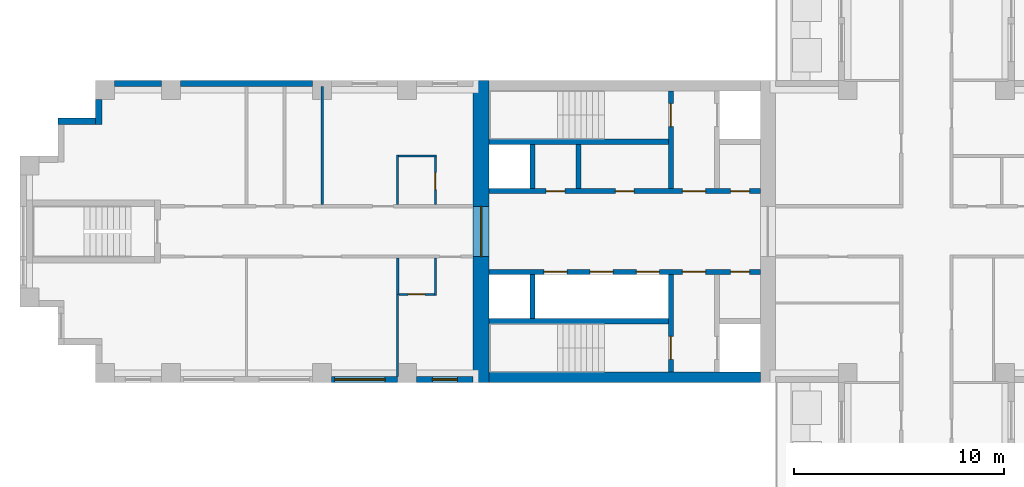
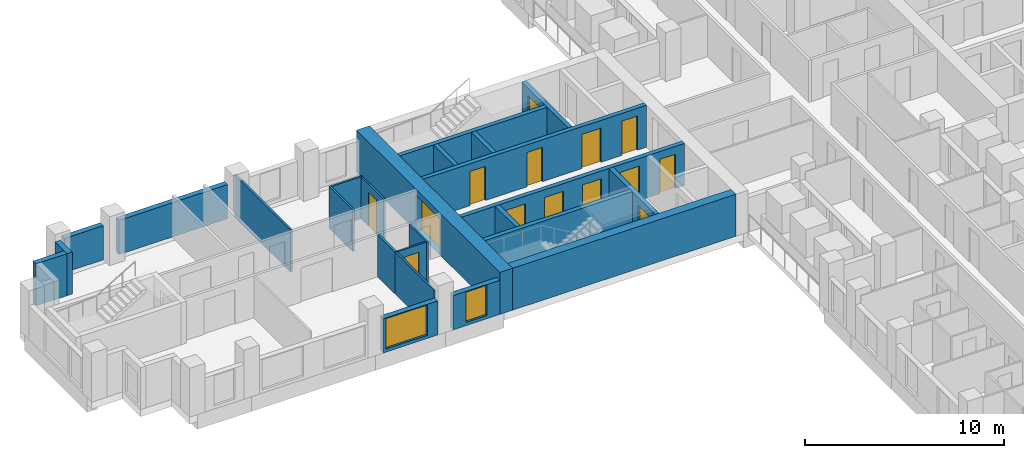
# One storey, part 6 of 13: 25 walls, 14 doors, 2 windows, 16 openings.
"""IFC4 building model written with IfcOpenShell, lengths in metres."""

from ifc_helpers import new_model, si_unit, direction, frame, frame_2d, origin, place, context, subcontext, project, spatial, rectangle, extrude, material, layer, layer_set, type_object, element, fill, save


model = new_model("IFC4")

# Units and contexts
model_context = context("Model", 3, precision=1e-05, world=origin(), true_north=direction((0.0, 1.0)))
body_context = subcontext(model_context, "Body", "Model", "MODEL_VIEW")
ifc_project = project(units=[si_unit("LENGTHUNIT", "METRE"), si_unit("AREAUNIT", "SQUARE_METRE"), si_unit("VOLUMEUNIT", "CUBIC_METRE"), si_unit("PLANEANGLEUNIT", "RADIAN"), si_unit("MASSUNIT", "GRAM", prefix="KILO")], contexts=[model_context])

# Site, building, storey
site_placement = place(None, origin())
site = spatial("IfcSite", under=ifc_project, at=site_placement, CompositionType="ELEMENT")
building_placement = place(site_placement, origin())
building = spatial("IfcBuilding", under=site, at=building_placement, Name="Fustian Cross Tower", CompositionType="ELEMENT")
storey_placement = place(building_placement, frame((0.0, 0.0, 84.89990234375)))
storey = spatial("IfcBuildingStorey", under=building, at=storey_placement, Name="L26", CompositionType="ELEMENT", Elevation=84.89990234375)

# Wall, opening, door
ifc_material_1 = material(Name="Concrete C70/85", Category="concrete")
ifc_layer_1 = layer(ifc_material_1, 0.75)
ifc_layer_set_1 = layer_set([ifc_layer_1], Name="Concrete C70/85")
wall_type_1 = type_object("IfcWallType", Name="CORE END WALL 750 C70/85", PredefinedType="SHEAR", material=ifc_layer_set_1)
wall_1_placement = place(storey_placement, frame((-21.22509765625, -7.199951171875, 0.0), z_axis=(0.0, 0.0, 1.0), x_axis=(0.0, 1.0, 0.0)))
wall_1 = element("IfcWall", 1, at=wall_1_placement, inside=storey, type_object=wall_type_1, Name="Core end wall", PredefinedType="SHEAR", context=body_context, shape_type="SweptSolid", body=[
    extrude(rectangle(XDim=14.39990234375, YDim=0.75, at=frame_2d((7.199951171875, 0.0))), origin(), (0.0, 0.0, 1.0), 2.5751953125),
])
opening_1_placement = place(wall_1_placement, frame((6.0, 0.0, 0.0)))
opening_1 = element("IfcOpeningElement", 2, at=opening_1_placement, cuts=wall_1, Name="Opening CD-11-28", PredefinedType="OPENING", context=body_context, shape_type="SweptSolid", body=[
    extrude(rectangle(XDim=2.39990234375, YDim=2.199951171875, at=frame_2d((1.199951171875, 1.10009765625))), frame((0.0, 0.385009765625, 0.0), z_axis=(0.0, -1.0, 0.0), x_axis=(1.0, 0.0, 0.0)), (0.0, 0.0, 1.0), 0.77001953125),
])
ifc_material_2 = material(Name="Steel", Category="steel")
door_type_1 = type_object("IfcDoorType", Name="FIRE DOOR FD30S DOUBLE 2400X2200", OperationType="DOUBLE_DOOR_DOUBLE_SWING", PredefinedType="DOOR", material=ifc_material_2)
door_1_placement = place(opening_1_placement, frame((2.39990234375, 0.0, 0.0), z_axis=(0.0, 0.0, 1.0), x_axis=(-1.0, 0.0, 0.0)))
door_1 = element("IfcDoor", 3, at=door_1_placement, inside=storey, type_object=door_type_1, Name="Core door CD-11-28", OperationType="DOUBLE_DOOR_DOUBLE_SWING", OverallHeight=2.199951171875, OverallWidth=2.39990234375, PredefinedType="DOOR", context=body_context, shape_type="SweptSolid", body=[
    extrude(rectangle(XDim=2.39990234375, YDim=2.199951171875, at=frame_2d((1.199951171875, 1.10009765625))), frame((0.0, 0.02490234375, 0.0), z_axis=(0.0, -1.0, 0.0), x_axis=(1.0, 0.0, 0.0)), (0.0, 0.0, 1.0), 0.050048828125),
])
fill(opening_1, door_1)

# Wall
ifc_material_3 = material(Name="Concrete C70/85", Category="concrete")
ifc_layer_2 = layer(ifc_material_3, 0.5)
ifc_layer_set_2 = layer_set([ifc_layer_2], Name="Concrete C70/85")
wall_type_2 = type_object("IfcWallType", Name="CORE FACADE WALL 500 C70/85", PredefinedType="SHEAR", material=ifc_layer_set_2)
wall_2_placement = place(storey_placement, frame((-7.89990234375, -6.949951171875, 0.0), z_axis=(0.0, 0.0, 1.0), x_axis=(-1.0, 0.0, 0.0)))
element("IfcWall", 4, at=wall_2_placement, inside=storey, type_object=wall_type_2, Name="Core facade wall", PredefinedType="SHEAR", context=body_context, shape_type="SweptSolid", body=[
    extrude(rectangle(XDim=12.9501953125, YDim=0.5, at=frame_2d((6.47509765625, 0.0))), origin(), (0.0, 0.0, 1.0), 2.5751953125),
])

# Wall, openings, doors
ifc_material_4 = material(Name="Concrete C50/60", Category="concrete")
ifc_layer_3 = layer(ifc_material_4, 0.25)
ifc_layer_set_3 = layer_set([ifc_layer_3], Name="Concrete C50/60")
wall_type_3 = type_object("IfcWallType", Name="CORE LOBBY WALL 250 C50/60", PredefinedType="SHEAR", material=ifc_layer_set_3)
wall_3_placement = place(storey_placement, frame((-7.89990234375, 1.925048828125, 0.0), z_axis=(0.0, 0.0, 1.0), x_axis=(-1.0, 0.0, 0.0)))
wall_3 = element("IfcWall", 5, at=wall_3_placement, inside=storey, type_object=wall_type_3, Name="Core lobby wall", PredefinedType="SHEAR", context=body_context, shape_type="SweptSolid", body=[
    extrude(rectangle(XDim=12.9501953125, YDim=0.25, at=frame_2d((6.47509765625, 0.0))), origin(), (0.0, 0.0, 1.0), 2.5751953125),
])
opening_2_placement = place(wall_3_placement, frame((0.52490234375, 0.0, 0.0)))
opening_2 = element("IfcOpeningElement", 6, at=opening_2_placement, cuts=wall_3, Name="Opening CD-11-23", PredefinedType="OPENING", context=body_context, shape_type="SweptSolid", body=[
    extrude(rectangle(XDim=0.89990234375, YDim=2.10009765625, at=frame_2d((0.449951171875, 1.050048828125))), frame((0.0, 0.135009765625, 0.0), z_axis=(0.0, -1.0, 0.0), x_axis=(1.0, 0.0, 0.0)), (0.0, 0.0, 1.0), 0.27001953125),
])
opening_3_placement = place(wall_3_placement, frame((2.625, 0.0, 0.0)))
opening_3 = element("IfcOpeningElement", 7, at=opening_3_placement, cuts=wall_3, Name="Opening CD-11-25", PredefinedType="OPENING", context=body_context, shape_type="SweptSolid", body=[
    extrude(rectangle(XDim=1.10009765625, YDim=2.10009765625, at=frame_2d((0.550048828125, 1.050048828125))), frame((0.0, 0.135009765625, 0.0), z_axis=(0.0, -1.0, 0.0), x_axis=(1.0, 0.0, 0.0)), (0.0, 0.0, 1.0), 0.27001953125),
])
opening_4_placement = place(wall_3_placement, frame((6.02490234375, 0.0, 0.0)))
opening_4 = element("IfcOpeningElement", 8, at=opening_4_placement, cuts=wall_3, Name="Opening CD-11-29", PredefinedType="OPENING", context=body_context, shape_type="SweptSolid", body=[
    extrude(rectangle(XDim=0.89990234375, YDim=2.10009765625, at=frame_2d((0.449951171875, 1.050048828125))), frame((0.0, 0.135009765625, 0.0), z_axis=(0.0, -1.0, 0.0), x_axis=(1.0, 0.0, 0.0)), (0.0, 0.0, 1.0), 0.27001953125),
])
opening_5_placement = place(wall_3_placement, frame((9.324951171875, 0.0, 0.0)))
opening_5 = element("IfcOpeningElement", 9, at=opening_5_placement, cuts=wall_3, Name="Opening CD-11-30", PredefinedType="OPENING", context=body_context, shape_type="SweptSolid", body=[
    extrude(rectangle(XDim=0.89990234375, YDim=2.10009765625, at=frame_2d((0.449951171875, 1.050048828125))), frame((0.0, 0.135009765625, 0.0), z_axis=(0.0, -1.0, 0.0), x_axis=(1.0, 0.0, 0.0)), (0.0, 0.0, 1.0), 0.27001953125),
])
ifc_material_5 = material(Name="Steel", Category="steel")
door_type_2 = type_object("IfcDoorType", Name="FIRE DOOR FD30S 900X2100", OperationType="SINGLE_SWING_LEFT", PredefinedType="DOOR", material=ifc_material_5)
door_2_placement = place(opening_4_placement, frame((0.89990234375, 0.0, 0.0), z_axis=(0.0, 0.0, 1.0), x_axis=(-1.0, 0.0, 0.0)))
door_2 = element("IfcDoor", 10, at=door_2_placement, inside=storey, type_object=door_type_2, Name="Core door CD-11-29", OperationType="SINGLE_SWING_LEFT", OverallHeight=2.10009765625, OverallWidth=0.89990234375, PredefinedType="DOOR", context=body_context, shape_type="SweptSolid", body=[
    extrude(rectangle(XDim=0.89990234375, YDim=2.10009765625, at=frame_2d((0.449951171875, 1.050048828125))), frame((0.0, 0.02490234375, 0.0), z_axis=(0.0, -1.0, 0.0), x_axis=(1.0, 0.0, 0.0)), (0.0, 0.0, 1.0), 0.050048828125),
])
fill(opening_4, door_2)
door_3_placement = place(opening_5_placement, frame((0.89990234375, 0.0, 0.0), z_axis=(0.0, 0.0, 1.0), x_axis=(-1.0, 0.0, 0.0)))
door_3 = element("IfcDoor", 11, at=door_3_placement, inside=storey, type_object=door_type_2, Name="Core door CD-11-30", OperationType="SINGLE_SWING_RIGHT", OverallHeight=2.10009765625, OverallWidth=0.89990234375, PredefinedType="DOOR", context=body_context, shape_type="SweptSolid", body=[
    extrude(rectangle(XDim=0.89990234375, YDim=2.10009765625, at=frame_2d((0.449951171875, 1.050048828125))), frame((0.0, 0.02490234375, 0.0), z_axis=(0.0, -1.0, 0.0), x_axis=(1.0, 0.0, 0.0)), (0.0, 0.0, 1.0), 0.050048828125),
])
fill(opening_5, door_3)
ifc_material_6 = material(Name="Steel", Category="steel")
door_type_3 = type_object("IfcDoorType", Name="FIRE DOOR FD60S 1100X2100", OperationType="SINGLE_SWING_LEFT", PredefinedType="DOOR", material=ifc_material_6)
door_4_placement = place(opening_3_placement, frame((1.10009765625, 0.0, 0.0), z_axis=(0.0, 0.0, 1.0), x_axis=(-1.0, 0.0, 0.0)))
door_4 = element("IfcDoor", 12, at=door_4_placement, inside=storey, type_object=door_type_3, Name="Core door CD-11-25", OperationType="SINGLE_SWING_RIGHT", OverallHeight=2.10009765625, OverallWidth=1.10009765625, PredefinedType="DOOR", context=body_context, shape_type="SweptSolid", body=[
    extrude(rectangle(XDim=1.10009765625, YDim=2.10009765625, at=frame_2d((0.550048828125, 1.050048828125))), frame((0.0, 0.02490234375, 0.0), z_axis=(0.0, -1.0, 0.0), x_axis=(1.0, 0.0, 0.0)), (0.0, 0.0, 1.0), 0.050048828125),
])
fill(opening_3, door_4)
ifc_material_7 = material(Name="Steel", Category="steel")
door_type_4 = type_object("IfcDoorType", Name="FIRE DOOR FD60S 900X2100", OperationType="SINGLE_SWING_LEFT", PredefinedType="DOOR", material=ifc_material_7)
door_5_placement = place(opening_2_placement, frame((0.89990234375, 0.0, 0.0), z_axis=(0.0, 0.0, 1.0), x_axis=(-1.0, 0.0, 0.0)))
door_5 = element("IfcDoor", 13, at=door_5_placement, inside=storey, type_object=door_type_4, Name="Core door CD-11-23", OperationType="SINGLE_SWING_RIGHT", OverallHeight=2.10009765625, OverallWidth=0.89990234375, PredefinedType="DOOR", context=body_context, shape_type="SweptSolid", body=[
    extrude(rectangle(XDim=0.89990234375, YDim=2.10009765625, at=frame_2d((0.449951171875, 1.050048828125))), frame((0.0, 0.02490234375, 0.0), z_axis=(0.0, -1.0, 0.0), x_axis=(1.0, 0.0, 0.0)), (0.0, 0.0, 1.0), 0.050048828125),
])
fill(opening_2, door_5)

wall_4_placement = place(storey_placement, frame((-7.89990234375, -1.925048828125, 0.0), z_axis=(0.0, 0.0, 1.0), x_axis=(-1.0, 0.0, 0.0)))
wall_4 = element("IfcWall", 14, at=wall_4_placement, inside=storey, type_object=wall_type_3, Name="Core lobby wall", PredefinedType="SHEAR", context=body_context, shape_type="SweptSolid", body=[
    extrude(rectangle(XDim=12.9501953125, YDim=0.25, at=frame_2d((6.47509765625, 0.0))), origin(), (0.0, 0.0, 1.0), 2.5751953125),
])
opening_6_placement = place(wall_4_placement, frame((4.824951171875, 0.0, 0.0)))
opening_6 = element("IfcOpeningElement", 15, at=opening_6_placement, cuts=wall_4, Name="Opening LD", PredefinedType="OPENING", context=body_context, shape_type="SweptSolid", body=[
    extrude(rectangle(XDim=1.10009765625, YDim=2.10009765625, at=frame_2d((0.550048828125, 1.050048828125))), frame((0.0, 0.135009765625, 0.0), z_axis=(0.0, -1.0, 0.0), x_axis=(1.0, 0.0, 0.0)), (0.0, 0.0, 1.0), 0.27001953125),
])
opening_7_placement = place(wall_4_placement, frame((7.02490234375, 0.0, 0.0)))
opening_7 = element("IfcOpeningElement", 16, at=opening_7_placement, cuts=wall_4, Name="Opening LD", PredefinedType="OPENING", context=body_context, shape_type="SweptSolid", body=[
    extrude(rectangle(XDim=1.10009765625, YDim=2.10009765625, at=frame_2d((0.550048828125, 1.050048828125))), frame((0.0, 0.135009765625, 0.0), z_axis=(0.0, -1.0, 0.0), x_axis=(1.0, 0.0, 0.0)), (0.0, 0.0, 1.0), 0.27001953125),
])
opening_8_placement = place(wall_4_placement, frame((9.22509765625, 0.0, 0.0)))
opening_8 = element("IfcOpeningElement", 17, at=opening_8_placement, cuts=wall_4, Name="Opening LD", PredefinedType="OPENING", context=body_context, shape_type="SweptSolid", body=[
    extrude(rectangle(XDim=1.10009765625, YDim=2.10009765625, at=frame_2d((0.550048828125, 1.050048828125))), frame((0.0, 0.135009765625, 0.0), z_axis=(0.0, -1.0, 0.0), x_axis=(1.0, 0.0, 0.0)), (0.0, 0.0, 1.0), 0.27001953125),
])
opening_9_placement = place(wall_4_placement, frame((0.52490234375, 0.0, 0.0)))
opening_9 = element("IfcOpeningElement", 18, at=opening_9_placement, cuts=wall_4, Name="Opening CD-11-24", PredefinedType="OPENING", context=body_context, shape_type="SweptSolid", body=[
    extrude(rectangle(XDim=0.89990234375, YDim=2.10009765625, at=frame_2d((0.449951171875, 1.050048828125))), frame((0.0, 0.135009765625, 0.0), z_axis=(0.0, -1.0, 0.0), x_axis=(1.0, 0.0, 0.0)), (0.0, 0.0, 1.0), 0.27001953125),
])
opening_10_placement = place(wall_4_placement, frame((2.625, 0.0, 0.0)))
opening_10 = element("IfcOpeningElement", 19, at=opening_10_placement, cuts=wall_4, Name="Opening CD-11-26", PredefinedType="OPENING", context=body_context, shape_type="SweptSolid", body=[
    extrude(rectangle(XDim=1.10009765625, YDim=2.10009765625, at=frame_2d((0.550048828125, 1.050048828125))), frame((0.0, 0.135009765625, 0.0), z_axis=(0.0, -1.0, 0.0), x_axis=(1.0, 0.0, 0.0)), (0.0, 0.0, 1.0), 0.27001953125),
])
ifc_material_8 = material(Name="Steel", Category="steel")
door_type_5 = type_object("IfcDoorType", Name="FIRE DOOR FD30S 1100X2100", OperationType="SINGLE_SWING_LEFT", PredefinedType="DOOR", material=ifc_material_8)
door_6_placement = place(opening_10_placement, frame((1.10009765625, 0.0, 0.0), z_axis=(0.0, 0.0, 1.0), x_axis=(-1.0, 0.0, 0.0)))
door_6 = element("IfcDoor", 20, at=door_6_placement, inside=storey, type_object=door_type_5, Name="Core door CD-11-26", OperationType="SINGLE_SWING_RIGHT", OverallHeight=2.10009765625, OverallWidth=1.10009765625, PredefinedType="DOOR", context=body_context, shape_type="SweptSolid", body=[
    extrude(rectangle(XDim=1.10009765625, YDim=2.10009765625, at=frame_2d((0.550048828125, 1.050048828125))), frame((0.0, 0.02490234375, 0.0), z_axis=(0.0, -1.0, 0.0), x_axis=(1.0, 0.0, 0.0)), (0.0, 0.0, 1.0), 0.050048828125),
])
fill(opening_10, door_6)
door_7_placement = place(opening_9_placement, origin())
door_7 = element("IfcDoor", 21, at=door_7_placement, inside=storey, type_object=door_type_2, Name="Core door CD-11-24", OperationType="SINGLE_SWING_LEFT", OverallHeight=2.10009765625, OverallWidth=0.89990234375, PredefinedType="DOOR", context=body_context, shape_type="SweptSolid", body=[
    extrude(rectangle(XDim=0.89990234375, YDim=2.10009765625, at=frame_2d((0.449951171875, 1.050048828125))), frame((0.0, 0.02490234375, 0.0), z_axis=(0.0, -1.0, 0.0), x_axis=(1.0, 0.0, 0.0)), (0.0, 0.0, 1.0), 0.050048828125),
])
fill(opening_9, door_7)
ifc_material_9 = material(Name="Stainless steel", Category="steel")
door_type_6 = type_object("IfcDoorType", Name="LIFT LANDING DOOR 1100X2100", OperationType="SLIDING_TO_LEFT", PredefinedType="DOOR", material=ifc_material_9)
door_8_placement = place(opening_6_placement, origin())
door_8 = element("IfcDoor", 22, at=door_8_placement, inside=storey, type_object=door_type_6, Name="Landing door LR1W", OperationType="SLIDING_TO_LEFT", OverallHeight=2.10009765625, OverallWidth=1.10009765625, PredefinedType="DOOR", context=body_context, shape_type="SweptSolid", body=[
    extrude(rectangle(XDim=1.10009765625, YDim=2.10009765625, at=frame_2d((0.550048828125, 1.050048828125))), frame((0.0, 0.02490234375, 0.0), z_axis=(0.0, -1.0, 0.0), x_axis=(1.0, 0.0, 0.0)), (0.0, 0.0, 1.0), 0.050048828125),
])
fill(opening_6, door_8)
door_9_placement = place(opening_7_placement, origin())
door_9 = element("IfcDoor", 23, at=door_9_placement, inside=storey, type_object=door_type_6, Name="Landing door LR2W", OperationType="SLIDING_TO_LEFT", OverallHeight=2.10009765625, OverallWidth=1.10009765625, PredefinedType="DOOR", context=body_context, shape_type="SweptSolid", body=[
    extrude(rectangle(XDim=1.10009765625, YDim=2.10009765625, at=frame_2d((0.550048828125, 1.050048828125))), frame((0.0, 0.02490234375, 0.0), z_axis=(0.0, -1.0, 0.0), x_axis=(1.0, 0.0, 0.0)), (0.0, 0.0, 1.0), 0.050048828125),
])
fill(opening_7, door_9)
door_10_placement = place(opening_8_placement, origin())
door_10 = element("IfcDoor", 24, at=door_10_placement, inside=storey, type_object=door_type_6, Name="Landing door LR3W", OperationType="SLIDING_TO_LEFT", OverallHeight=2.10009765625, OverallWidth=1.10009765625, PredefinedType="DOOR", context=body_context, shape_type="SweptSolid", body=[
    extrude(rectangle(XDim=1.10009765625, YDim=2.10009765625, at=frame_2d((0.550048828125, 1.050048828125))), frame((0.0, 0.02490234375, 0.0), z_axis=(0.0, -1.0, 0.0), x_axis=(1.0, 0.0, 0.0)), (0.0, 0.0, 1.0), 0.050048828125),
])
fill(opening_8, door_10)

# Wall
ifc_material_10 = material(Name="Concrete C50/60", Category="concrete")
ifc_layer_4 = layer(ifc_material_10, 0.25)
ifc_layer_set_4 = layer_set([ifc_layer_4], Name="Concrete C50/60")
wall_type_4 = type_object("IfcWallType", Name="CORE SHAFT WALL 250 C50/60", PredefinedType="SHEAR", material=ifc_layer_set_4)
wall_5_placement = place(storey_placement, frame((-12.300048828125, 4.27490234375, 0.0), z_axis=(0.0, 0.0, 1.0), x_axis=(-1.0, 0.0, 0.0)))
element("IfcWall", 25, at=wall_5_placement, inside=storey, type_object=wall_type_4, Name="Core shaft wall", PredefinedType="SHEAR", context=body_context, shape_type="SweptSolid", body=[
    extrude(rectangle(XDim=8.550048828125, YDim=0.25, at=frame_2d((4.27490234375, 0.0))), origin(), (0.0, 0.0, 1.0), 2.5751953125),
])

# Wall, opening, door
wall_6_placement = place(storey_placement, frame((-12.175048828125, 2.050048828125, 0.0), z_axis=(0.0, 0.0, 1.0), x_axis=(0.0, 1.0, 0.0)))
wall_6 = element("IfcWall", 26, at=wall_6_placement, inside=storey, type_object=wall_type_4, Name="Core shaft wall", PredefinedType="SHEAR", context=body_context, shape_type="SweptSolid", body=[
    extrude(rectangle(XDim=4.64990234375, YDim=0.25, at=frame_2d((2.324951171875, 0.0))), origin(), (0.0, 0.0, 1.0), 2.5751953125),
])
opening_11_placement = place(wall_6_placement, frame((2.949951171875, 0.0, 0.0)))
opening_11 = element("IfcOpeningElement", 27, at=opening_11_placement, cuts=wall_6, Name="Opening CD-11-21", PredefinedType="OPENING", context=body_context, shape_type="SweptSolid", body=[
    extrude(rectangle(XDim=1.10009765625, YDim=2.10009765625, at=frame_2d((0.550048828125, 1.050048828125))), frame((0.0, 0.135009765625, 0.0), z_axis=(0.0, -1.0, 0.0), x_axis=(1.0, 0.0, 0.0)), (0.0, 0.0, 1.0), 0.27001953125),
])
door_11_placement = place(opening_11_placement, origin())
door_11 = element("IfcDoor", 28, at=door_11_placement, inside=storey, type_object=door_type_3, Name="Core door CD-11-21", OperationType="SINGLE_SWING_LEFT", OverallHeight=2.10009765625, OverallWidth=1.10009765625, PredefinedType="DOOR", context=body_context, shape_type="SweptSolid", body=[
    extrude(rectangle(XDim=1.10009765625, YDim=2.10009765625, at=frame_2d((0.550048828125, 1.050048828125))), frame((0.0, 0.02490234375, 0.0), z_axis=(0.0, -1.0, 0.0), x_axis=(1.0, 0.0, 0.0)), (0.0, 0.0, 1.0), 0.050048828125),
])
fill(opening_11, door_11)

# Wall
wall_7_placement = place(storey_placement, frame((-12.300048828125, -4.27490234375, 0.0), z_axis=(0.0, 0.0, 1.0), x_axis=(-1.0, 0.0, 0.0)))
element("IfcWall", 29, at=wall_7_placement, inside=storey, type_object=wall_type_4, Name="Core shaft wall", PredefinedType="SHEAR", context=body_context, shape_type="SweptSolid", body=[
    extrude(rectangle(XDim=8.550048828125, YDim=0.25, at=frame_2d((4.27490234375, 0.0))), origin(), (0.0, 0.0, 1.0), 2.5751953125),
])

# Wall, opening, door
wall_8_placement = place(storey_placement, frame((-12.175048828125, -2.050048828125, 0.0), z_axis=(0.0, 0.0, 1.0), x_axis=(0.0, -1.0, 0.0)))
wall_8 = element("IfcWall", 30, at=wall_8_placement, inside=storey, type_object=wall_type_4, Name="Core shaft wall", PredefinedType="SHEAR", context=body_context, shape_type="SweptSolid", body=[
    extrude(rectangle(XDim=4.64990234375, YDim=0.25, at=frame_2d((2.324951171875, 0.0))), origin(), (0.0, 0.0, 1.0), 2.5751953125),
])
opening_12_placement = place(wall_8_placement, frame((2.949951171875, 0.0, 0.0)))
opening_12 = element("IfcOpeningElement", 31, at=opening_12_placement, cuts=wall_8, Name="Opening CD-11-22", PredefinedType="OPENING", context=body_context, shape_type="SweptSolid", body=[
    extrude(rectangle(XDim=1.10009765625, YDim=2.10009765625, at=frame_2d((0.550048828125, 1.050048828125))), frame((0.0, 0.135009765625, 0.0), z_axis=(0.0, -1.0, 0.0), x_axis=(1.0, 0.0, 0.0)), (0.0, 0.0, 1.0), 0.27001953125),
])
door_12_placement = place(opening_12_placement, frame((1.10009765625, 0.0, 0.0), z_axis=(0.0, 0.0, 1.0), x_axis=(-1.0, 0.0, 0.0)))
door_12 = element("IfcDoor", 32, at=door_12_placement, inside=storey, type_object=door_type_3, Name="Core door CD-11-22", OperationType="SINGLE_SWING_RIGHT", OverallHeight=2.10009765625, OverallWidth=1.10009765625, PredefinedType="DOOR", context=body_context, shape_type="SweptSolid", body=[
    extrude(rectangle(XDim=1.10009765625, YDim=2.10009765625, at=frame_2d((0.550048828125, 1.050048828125))), frame((0.0, 0.02490234375, 0.0), z_axis=(0.0, -1.0, 0.0), x_axis=(1.0, 0.0, 0.0)), (0.0, 0.0, 1.0), 0.050048828125),
])
fill(opening_12, door_12)

# Wall
ifc_material_11 = material(Name="Plasterboard on steel stud", Category="steel")
ifc_layer_5 = layer(ifc_material_11, 0.10009765625)
ifc_layer_set_5 = layer_set([ifc_layer_5], Name="Plasterboard on steel stud")
wall_type_5 = type_object("IfcWallType", Name="PARTITION 100 STUD", PredefinedType="PARTITIONING", material=ifc_layer_set_5)
wall_9_placement = place(storey_placement, frame((-25.199951171875, -6.89990234375, 0.0), z_axis=(0.0, 0.0, 1.0), x_axis=(0.0, 1.0, 0.0)))
element("IfcWall", 33, at=wall_9_placement, inside=storey, type_object=wall_type_5, Name="Partition 7", PredefinedType="PARTITIONING", context=body_context, shape_type="SweptSolid", body=[
    extrude(rectangle(XDim=3.89990234375, YDim=0.10009765625, at=frame_2d((1.949951171875, 0.0))), origin(), (0.0, 0.0, 1.0), 2.5751953125),
])

# Wall, opening, door
wall_10_placement = place(storey_placement, frame((-25.137451171875, -3.0, 0.0), z_axis=(0.0, 0.0, 1.0), x_axis=(1.0, 0.0, 0.0)))
wall_10 = element("IfcWall", 34, at=wall_10_placement, inside=storey, type_object=wall_type_5, Name="Partition 9", PredefinedType="PARTITIONING", context=body_context, shape_type="SweptSolid", body=[
    extrude(rectangle(XDim=1.6875, YDim=0.10009765625, at=frame_2d((0.84375, 0.0))), origin(), (0.0, 0.0, 1.0), 2.5751953125),
])
opening_13_placement = place(wall_10_placement, frame((0.4375, 0.0, 0.0)))
opening_13 = element("IfcOpeningElement", 35, at=opening_13_placement, cuts=wall_10, Name="Opening D13023", PredefinedType="OPENING", context=body_context, shape_type="SweptSolid", body=[
    extrude(rectangle(XDim=0.800048828125, YDim=2.10009765625, at=frame_2d((0.39990234375, 1.050048828125))), frame((0.0, 0.06005859375, 0.0), z_axis=(0.0, -1.0, 0.0), x_axis=(1.0, 0.0, 0.0)), (0.0, 0.0, 1.0), 0.1201171875),
])
ifc_material_12 = material(Name="Painted timber", Category="wood")
door_type_7 = type_object("IfcDoorType", Name="SWING DOOR 800", OperationType="SINGLE_SWING_LEFT", PredefinedType="DOOR", material=ifc_material_12)
door_13_placement = place(opening_13_placement, origin())
door_13 = element("IfcDoor", 36, at=door_13_placement, inside=storey, type_object=door_type_7, Name="Door D13023", OperationType="SINGLE_SWING_RIGHT", OverallHeight=2.10009765625, OverallWidth=0.800048828125, PredefinedType="DOOR", context=body_context, shape_type="SweptSolid", body=[
    extrude(rectangle(XDim=0.800048828125, YDim=2.10009765625, at=frame_2d((0.39990234375, 1.050048828125))), frame((0.0, 0.02490234375, 0.0), z_axis=(0.0, -1.0, 0.0), x_axis=(1.0, 0.0, 0.0)), (0.0, 0.0, 1.0), 0.050048828125),
])
fill(opening_13, door_13)

# Walls
wall_11_placement = place(storey_placement, frame((-25.199951171875, 1.27490234375, 0.0), z_axis=(0.0, 0.0, 1.0), x_axis=(0.0, 1.0, 0.0)))
element("IfcWall", 37, at=wall_11_placement, inside=storey, type_object=wall_type_5, Name="Partition 10", PredefinedType="PARTITIONING", context=body_context, shape_type="SweptSolid", body=[
    extrude(rectangle(XDim=2.375, YDim=0.10009765625, at=frame_2d((1.1875, 0.0))), origin(), (0.0, 0.0, 1.0), 2.5751953125),
])
wall_12_placement = place(storey_placement, frame((-25.14990234375, 3.60009765625, 0.0), z_axis=(0.0, 0.0, 1.0), x_axis=(1.0, 0.0, 0.0)))
element("IfcWall", 38, at=wall_12_placement, inside=storey, type_object=wall_type_5, Name="Partition 11", PredefinedType="PARTITIONING", context=body_context, shape_type="SweptSolid", body=[
    extrude(rectangle(XDim=1.7998046875, YDim=0.10009765625, at=frame_2d((0.89990234375, 0.0))), origin(), (0.0, 0.0, 1.0), 2.5751953125),
])
wall_13_placement = place(storey_placement, frame((-23.39990234375, -3.050048828125, 0.0), z_axis=(0.0, 0.0, 1.0), x_axis=(0.0, 1.0, 0.0)))
element("IfcWall", 39, at=wall_13_placement, inside=storey, type_object=wall_type_5, Name="Partition 12", PredefinedType="PARTITIONING", context=body_context, shape_type="SweptSolid", body=[
    extrude(rectangle(XDim=1.775146484375, YDim=0.10009765625, at=frame_2d((0.8876953125, 0.0))), origin(), (0.0, 0.0, 1.0), 2.5751953125),
])

# Wall, opening, door
wall_14_placement = place(storey_placement, frame((-23.39990234375, 1.27490234375, 0.0), z_axis=(0.0, 0.0, 1.0), x_axis=(0.0, 1.0, 0.0)))
wall_14 = element("IfcWall", 40, at=wall_14_placement, inside=storey, type_object=wall_type_5, Name="Partition 13", PredefinedType="PARTITIONING", context=body_context, shape_type="SweptSolid", body=[
    extrude(rectangle(XDim=2.275146484375, YDim=0.10009765625, at=frame_2d((1.1376953125, 0.0))), origin(), (0.0, 0.0, 1.0), 2.5751953125),
])
opening_14_placement = place(wall_14_placement, frame((0.72509765625, 0.0, 0.0)))
opening_14 = element("IfcOpeningElement", 41, at=opening_14_placement, cuts=wall_14, Name="Opening D13027", PredefinedType="OPENING", context=body_context, shape_type="SweptSolid", body=[
    extrude(rectangle(XDim=0.800048828125, YDim=2.10009765625, at=frame_2d((0.39990234375, 1.050048828125))), frame((0.0, 0.06005859375, 0.0), z_axis=(0.0, -1.0, 0.0), x_axis=(1.0, 0.0, 0.0)), (0.0, 0.0, 1.0), 0.1201171875),
])
door_14_placement = place(opening_14_placement, origin())
door_14 = element("IfcDoor", 42, at=door_14_placement, inside=storey, type_object=door_type_7, Name="Door D13027", OperationType="SINGLE_SWING_LEFT", OverallHeight=2.10009765625, OverallWidth=0.800048828125, PredefinedType="DOOR", context=body_context, shape_type="SweptSolid", body=[
    extrude(rectangle(XDim=0.800048828125, YDim=2.10009765625, at=frame_2d((0.39990234375, 1.050048828125))), frame((0.0, 0.02490234375, 0.0), z_axis=(0.0, -1.0, 0.0), x_axis=(1.0, 0.0, 0.0)), (0.0, 0.0, 1.0), 0.050048828125),
])
fill(opening_14, door_14)

# Walls
ifc_material_13 = material(Name="Concrete C40/50", Category="concrete")
ifc_layer_6 = layer(ifc_material_13, 0.25)
ifc_layer_set_6 = layer_set([ifc_layer_6], Name="Concrete C40/50")
wall_type_6 = type_object("IfcWallType", Name="SHAFT PARTITION WALL 250 C40/50", PredefinedType="PARTITIONING", material=ifc_layer_set_6)
for number, where, z_axis, x_axis, name in (
    (43, (-16.574951171875, 2.050048828125, 0.0), (0.0, 0.0, 1.0), (0.0, 1.0, 0.0), "Core shaft wall"),
    (44, (-18.77490234375, 2.050048828125, 0.0), (0.0, 0.0, 1.0), (0.0, 1.0, 0.0), "Core shaft wall"),
    (45, (-18.77490234375, -2.050048828125, 0.0), (0.0, 0.0, 1.0), (0.0, -1.0, 0.0), "Core shaft wall"),
):
    element("IfcWall", number, at=place(storey_placement, frame(where, z_axis=z_axis, x_axis=x_axis)), inside=storey, type_object=wall_type_6, Name=name, PredefinedType="PARTITIONING", context=body_context, shape_type="SweptSolid", body=[
        extrude(rectangle(XDim=2.099853515625, YDim=0.25, at=frame_2d((1.0498046875, 0.0))), origin(), (0.0, 0.0, 1.0), 2.5751953125),
    ])
ifc_material_14 = material(Name="Plasterboard on steel stud", Category="steel")
ifc_layer_7 = layer(ifc_material_14, 0.125)
ifc_layer_set_7 = layer_set([ifc_layer_7], Name="Plasterboard on steel stud")
wall_type_7 = type_object("IfcWallType", Name="WET WALL 125 STUD", PredefinedType="PARTITIONING", material=ifc_layer_set_7)
wall_15_placement = place(storey_placement, frame((-28.800048828125, 1.27490234375, 0.0), z_axis=(0.0, 0.0, 1.0), x_axis=(0.0, 1.0, 0.0)))
element("IfcWall", 46, at=wall_15_placement, inside=storey, type_object=wall_type_7, Name="Partition 6", PredefinedType="PARTITIONING", context=body_context, shape_type="SweptSolid", body=[
    extrude(rectangle(XDim=5.625, YDim=0.125, at=frame_2d((2.8125, 0.0))), origin(), (0.0, 0.0, 1.0), 2.5751953125),
])
wall_16_placement = place(storey_placement, frame((-25.199951171875, -3.0, 0.0), z_axis=(0.0, 0.0, 1.0), x_axis=(0.0, 1.0, 0.0)))
element("IfcWall", 47, at=wall_16_placement, inside=storey, type_object=wall_type_7, Name="Partition 8", PredefinedType="PARTITIONING", context=body_context, shape_type="SweptSolid", body=[
    extrude(rectangle(XDim=1.72509765625, YDim=0.125, at=frame_2d((0.862548828125, 0.0))), origin(), (0.0, 0.0, 1.0), 2.5751953125),
])
ifc_material_15 = material(Name="Dark aluminium cladding on insulated backing wall", Category="aluminium")
ifc_layer_8 = layer(ifc_material_15, 0.300048828125)
ifc_layer_set_8 = layer_set([ifc_layer_8], Name="Dark aluminium cladding on insulated backing wall")
wall_type_8 = type_object("IfcWallType", Name="XW1 EXTERNAL WALL 300", PredefinedType="SOLIDWALL", material=ifc_layer_set_8)
wall_17_placement = place(storey_placement, frame((-29.25, 7.050048828125, 0.0), z_axis=(0.0, 0.0, 1.0), x_axis=(-1.0, 0.0, 0.0)))
element("IfcWall", 48, at=wall_17_placement, inside=storey, type_object=wall_type_8, Name="External wall", PredefinedType="SOLIDWALL", context=body_context, shape_type="SweptSolid", body=[
    extrude(rectangle(XDim=6.300048828125, YDim=0.300048828125, at=frame_2d((3.14990234375, 0.0))), origin(), (0.0, 0.0, 1.0), 2.10009765625),
])
wall_18_placement = place(storey_placement, frame((-36.449951171875, 7.050048828125, 0.0), z_axis=(0.0, 0.0, 1.0), x_axis=(-1.0, 0.0, 0.0)))
element("IfcWall", 49, at=wall_18_placement, inside=storey, type_object=wall_type_8, Name="External wall", PredefinedType="SOLIDWALL", context=body_context, shape_type="SweptSolid", body=[
    extrude(rectangle(XDim=2.25, YDim=0.300048828125, at=frame_2d((1.125, 0.0))), origin(), (0.0, 0.0, 1.0), 2.10009765625),
])
wall_19_placement = place(storey_placement, frame((-39.449951171875, 6.300048828125, 0.0), z_axis=(0.0, 0.0, 1.0), x_axis=(0.0, -1.0, 0.0)))
element("IfcWall", 50, at=wall_19_placement, inside=storey, type_object=wall_type_8, Name="External wall", PredefinedType="SOLIDWALL", context=body_context, shape_type="SweptSolid", body=[
    extrude(rectangle(XDim=1.199951171875, YDim=0.300048828125, at=frame_2d((0.60009765625, 0.0))), origin(), (0.0, 0.0, 1.0), 2.5751953125),
])
wall_20_placement = place(storey_placement, frame((-39.60009765625, 5.25, 0.0), z_axis=(0.0, 0.0, 1.0), x_axis=(-1.0, 0.0, 0.0)))
element("IfcWall", 51, at=wall_20_placement, inside=storey, type_object=wall_type_8, Name="External wall", PredefinedType="SOLIDWALL", context=body_context, shape_type="SweptSolid", body=[
    extrude(rectangle(XDim=1.7998046875, YDim=0.300048828125, at=frame_2d((0.89990234375, 0.0))), origin(), (0.0, 0.0, 1.0), 2.5751953125),
])

# Wall, opening, window
wall_21_placement = place(storey_placement, frame((-28.35009765625, -7.050048828125, 0.0), z_axis=(0.0, 0.0, 1.0), x_axis=(1.0, 0.0, 0.0)))
wall_21 = element("IfcWall", 52, at=wall_21_placement, inside=storey, type_object=wall_type_8, Name="External wall", PredefinedType="SOLIDWALL", context=body_context, shape_type="SweptSolid", body=[
    extrude(rectangle(XDim=3.150146484375, YDim=0.300048828125, at=frame_2d((1.5751953125, 0.0))), origin(), (0.0, 0.0, 1.0), 2.10009765625),
])
opening_15_placement = place(wall_21_placement, frame((0.14990234375, 0.0, 0.199951171875)))
opening_15 = element("IfcOpeningElement", 53, at=opening_15_placement, cuts=wall_21, Name="Opening WN1", PredefinedType="OPENING", context=body_context, shape_type="SweptSolid", body=[
    extrude(rectangle(XDim=2.39990234375, YDim=1.85009765625, at=frame_2d((1.199951171875, 0.925048828125))), frame((0.0, 0.159912109375, 0.0), z_axis=(0.0, -1.0, 0.0), x_axis=(1.0, 0.0, 0.0)), (0.0, 0.0, 1.0), 0.320068359375),
])
ifc_material_16 = material(Name="Dark anodised aluminium and double glazing", Category="aluminium")
window_type_1 = type_object("IfcWindowType", Name="WN1 WINDOW 2400X1850", PartitioningType="SINGLE_PANEL", PredefinedType="WINDOW", material=ifc_material_16)
window_1_placement = place(opening_15_placement, origin())
window_1 = element("IfcWindow", 54, at=window_1_placement, inside=storey, type_object=window_type_1, Name="Window", OverallHeight=1.85009765625, OverallWidth=2.39990234375, PartitioningType="SINGLE_PANEL", PredefinedType="WINDOW", context=body_context, shape_type="SweptSolid", body=[
    extrude(rectangle(XDim=2.39990234375, YDim=1.85009765625, at=frame_2d((1.199951171875, 0.925048828125))), frame((0.0, 0.030029296875, 0.0), z_axis=(0.0, -1.0, 0.0), x_axis=(1.0, 0.0, 0.0)), (0.0, 0.0, 1.0), 0.06005859375),
])
fill(opening_15, window_1)

wall_22_placement = place(storey_placement, frame((-24.300048828125, -7.050048828125, 0.0), z_axis=(0.0, 0.0, 1.0), x_axis=(1.0, 0.0, 0.0)))
wall_22 = element("IfcWall", 55, at=wall_22_placement, inside=storey, type_object=wall_type_8, Name="External wall", PredefinedType="SOLIDWALL", context=body_context, shape_type="SweptSolid", body=[
    extrude(rectangle(XDim=2.699951171875, YDim=0.300048828125, at=frame_2d((1.35009765625, 0.0))), origin(), (0.0, 0.0, 1.0), 2.10009765625),
])
opening_16_placement = place(wall_22_placement, frame((0.75, 0.0, 0.199951171875)))
opening_16 = element("IfcOpeningElement", 56, at=opening_16_placement, cuts=wall_22, Name="Opening WN3", PredefinedType="OPENING", context=body_context, shape_type="SweptSolid", body=[
    extrude(rectangle(XDim=1.199951171875, YDim=1.85009765625, at=frame_2d((0.60009765625, 0.925048828125))), frame((0.0, 0.159912109375, 0.0), z_axis=(0.0, -1.0, 0.0), x_axis=(1.0, 0.0, 0.0)), (0.0, 0.0, 1.0), 0.320068359375),
])
ifc_material_17 = material(Name="Dark anodised aluminium and double glazing", Category="aluminium")
window_type_2 = type_object("IfcWindowType", Name="WN3 WINDOW 1200X1850", PartitioningType="SINGLE_PANEL", PredefinedType="WINDOW", material=ifc_material_17)
window_2_placement = place(opening_16_placement, origin())
window_2 = element("IfcWindow", 57, at=window_2_placement, inside=storey, type_object=window_type_2, Name="Window", OverallHeight=1.85009765625, OverallWidth=1.199951171875, PartitioningType="SINGLE_PANEL", PredefinedType="WINDOW", context=body_context, shape_type="SweptSolid", body=[
    extrude(rectangle(XDim=1.199951171875, YDim=1.85009765625, at=frame_2d((0.60009765625, 0.925048828125))), frame((0.0, 0.030029296875, 0.0), z_axis=(0.0, -1.0, 0.0), x_axis=(1.0, 0.0, 0.0)), (0.0, 0.0, 1.0), 0.06005859375),
])
fill(opening_16, window_2)

save(model, "model.ifc")
